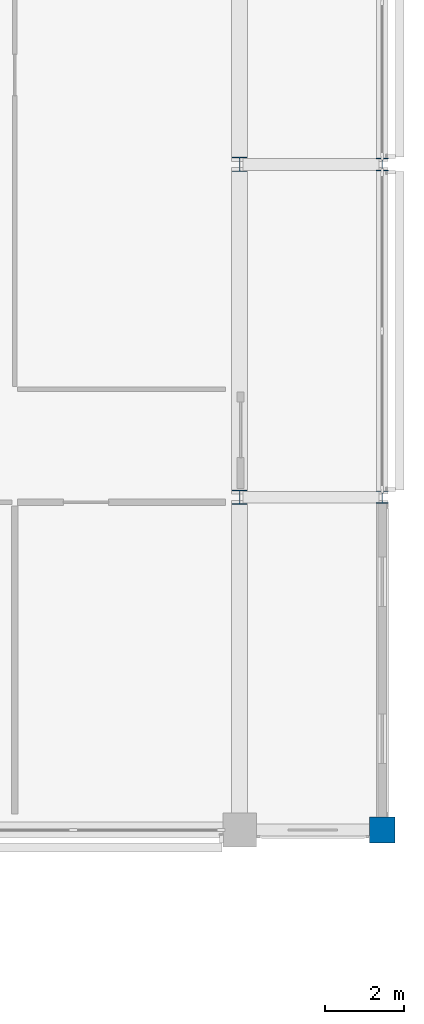
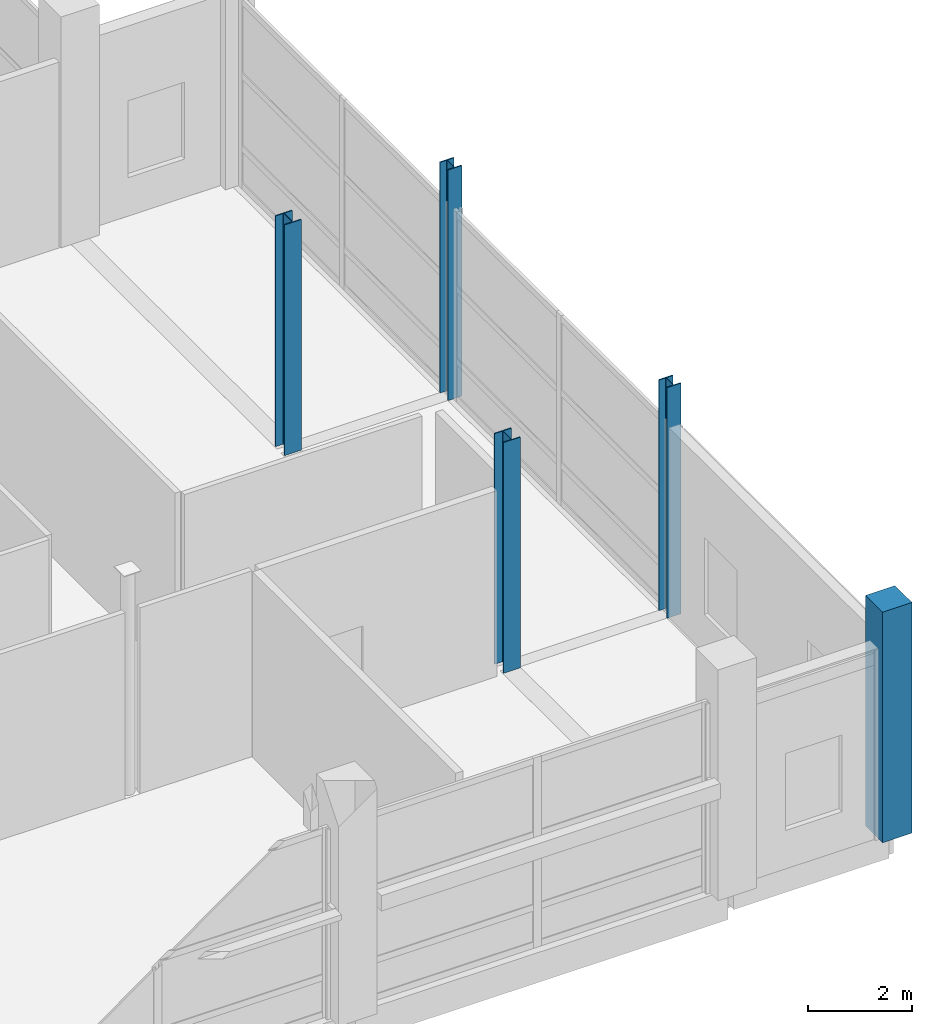
# One storey, part 15 of 140: 5 columns.
"""IFC4 building model written with IfcOpenShell, lengths in metres."""

from ifc_helpers import new_model, si_unit, direction, frame, origin, origin_2d, place, context, subcontext, project, spatial, rectangle, i_section, extrude, material, material_profile, profile_set, type_object, element, save


model = new_model("IFC4")

# Units and contexts
model_context = context("Model", 3, precision=1e-05, world=origin(), true_north=direction((0.0, 1.0)))
body_context = subcontext(model_context, "Body", "Model", "MODEL_VIEW")
ifc_project = project(units=[si_unit("LENGTHUNIT", "METRE"), si_unit("AREAUNIT", "SQUARE_METRE"), si_unit("VOLUMEUNIT", "CUBIC_METRE"), si_unit("PLANEANGLEUNIT", "RADIAN"), si_unit("MASSUNIT", "GRAM", prefix="KILO")], contexts=[model_context])

# Site, building, storey
site_placement = place(None, origin())
site = spatial("IfcSite", under=ifc_project, at=site_placement, CompositionType="ELEMENT")
building_placement = place(site_placement, origin())
building = spatial("IfcBuilding", under=site, at=building_placement, Name="Telukmera Botanical Conservatory", CompositionType="ELEMENT")
storey_placement = place(building_placement, origin())
storey = spatial("IfcBuildingStorey", under=building, at=storey_placement, Name="L00", CompositionType="ELEMENT", Elevation=0.0)

# Columns
ifc_material_1 = material(Name="Concrete C40/50", Category="concrete")
ifc_material_profile_1 = material_profile(ifc_material_1, rectangle(XDim=0.64990234375, YDim=0.64990234375, at=origin_2d()), Name="RC 650x650")
ifc_profile_set_1 = profile_set([ifc_material_profile_1], Name="Concrete C40/50")
column_type_1 = type_object("IfcColumnType", Name="Col_C10", PredefinedType="COLUMN", material=ifc_profile_set_1)
column_placement = place(storey_placement, frame((171.60009765625, 17.60009765625, 0.0), z_axis=(0.0, 0.0, 1.0), x_axis=(1.0, 0.0, 0.0)))
element("IfcColumn", 1, at=column_placement, inside=storey, type_object=column_type_1, Name="Column V1-L00 (171.6,17.6)", PredefinedType="COLUMN", context=body_context, shape_type="SweptSolid", body=[
    extrude(rectangle(XDim=0.64990234375, YDim=0.64990234375, at=origin_2d()), origin(), (0.0, 0.0, 1.0), 5.39990234375),
])
ifc_material_2 = material(Name="Steel S355", Category="steel")
ifc_material_profile_2 = material_profile(ifc_material_2, i_section(OverallWidth=0.37255859375, OverallDepth=0.3681640625, WebThickness=0.014404296875, FlangeThickness=0.023681640625, FilletRadius=0.01513671875, at=origin_2d()), Name="UC 356x368x177")
ifc_profile_set_2 = profile_set([ifc_material_profile_2], Name="Steel S355")
column_type_2 = type_object("IfcColumnType", Name="Col_SC3", PredefinedType="COLUMN", material=ifc_profile_set_2)
for number, where, z_axis, x_axis, name in (
    (2, (168.0, 26.0, 0.0), (0.0, 0.0, 1.0), (1.0, 0.0, 0.0), "Column V1-L00 (168.0,26.0)"),
    (3, (168.0, 34.39990234375, 0.0), (0.0, 0.0, 1.0), (1.0, 0.0, 0.0), "Column V1-L00 (168.0,34.4)"),
):
    element("IfcColumn", number, at=place(storey_placement, frame(where, z_axis=z_axis, x_axis=x_axis)), inside=storey, type_object=column_type_2, Name=name, PredefinedType="COLUMN", context=body_context, shape_type="SweptSolid", body=[
        extrude(i_section(OverallWidth=0.37255859375, OverallDepth=0.3681640625, WebThickness=0.014404296875, FlangeThickness=0.023681640625, FilletRadius=0.01513671875, at=origin_2d()), origin(), (0.0, 0.0, 1.0), 5.39990234375),
    ])
ifc_material_profile_3 = material_profile(ifc_material_2, i_section(OverallWidth=0.30908203125, OverallDepth=0.320556640625, WebThickness=0.013916015625, FlangeThickness=0.021728515625, FilletRadius=0.01513671875, at=origin_2d()), Name="UC 305x305x137")
ifc_profile_set_3 = profile_set([ifc_material_profile_3], Name="Steel S355")
column_type_3 = type_object("IfcColumnType", Name="Col_SC4", PredefinedType="COLUMN", material=ifc_profile_set_3)
for number, where, z_axis, x_axis, name in (
    (4, (171.60009765625, 26.0, 0.0), (0.0, 0.0, 1.0), (1.0, 0.0, 0.0), "Column V1-L00 (171.6,26.0)"),
    (5, (171.60009765625, 34.39990234375, 0.0), (0.0, 0.0, 1.0), (1.0, 0.0, 0.0), "Column V1-L00 (171.6,34.4)"),
):
    element("IfcColumn", number, at=place(storey_placement, frame(where, z_axis=z_axis, x_axis=x_axis)), inside=storey, type_object=column_type_3, Name=name, PredefinedType="COLUMN", context=body_context, shape_type="SweptSolid", body=[
        extrude(i_section(OverallWidth=0.30908203125, OverallDepth=0.320556640625, WebThickness=0.013916015625, FlangeThickness=0.021728515625, FilletRadius=0.01513671875, at=origin_2d()), origin(), (0.0, 0.0, 1.0), 5.39990234375),
    ])

save(model, "model.ifc")
